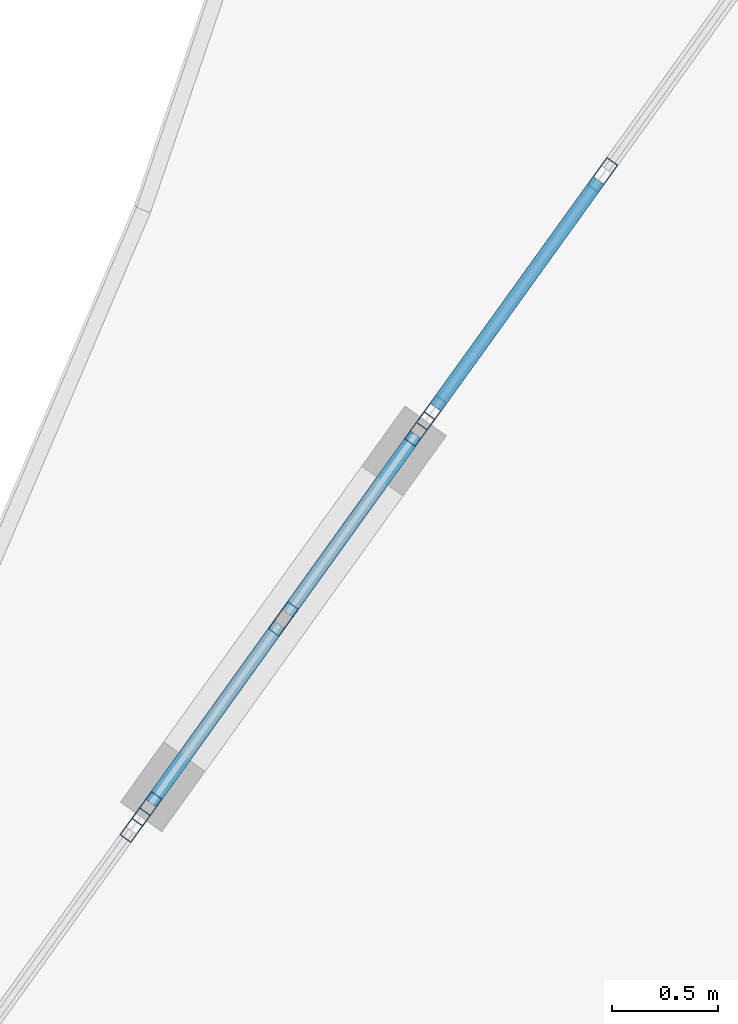
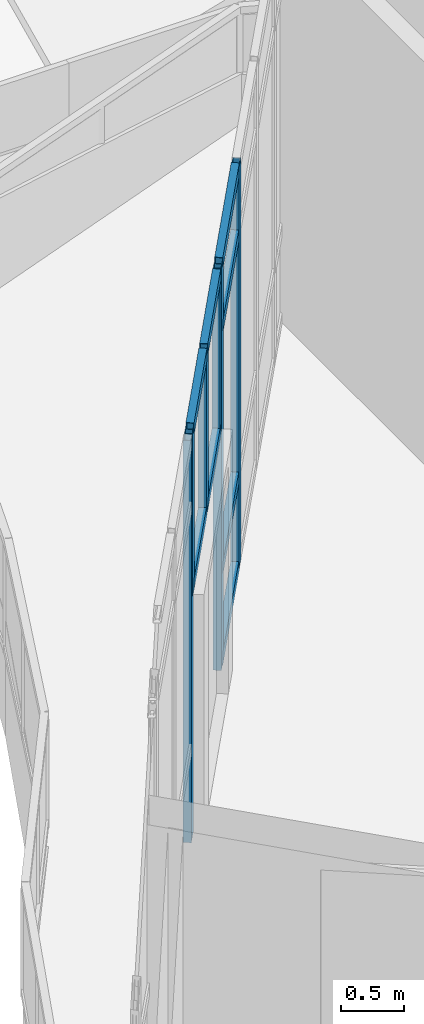
# One storey, part 24 of 184: 14 members, 3 elements without a shape of their own.
"""IFC4 building model written with IfcOpenShell, lengths in metres."""

from ifc_helpers import new_model, si_unit, direction, frame, origin, origin_2d, place, context, subcontext, project, spatial, hollow_rectangle, extrude, material, material_profile, profile_set, type_object, element, aggregate, save


model = new_model("IFC4")

# Units and contexts
model_context = context("Model", 3, precision=1e-05, world=origin(), true_north=direction((0.0, 1.0)))
body_context = subcontext(model_context, "Body", "Model", "MODEL_VIEW")
ifc_project = project(units=[si_unit("LENGTHUNIT", "METRE"), si_unit("AREAUNIT", "SQUARE_METRE"), si_unit("VOLUMEUNIT", "CUBIC_METRE"), si_unit("PLANEANGLEUNIT", "RADIAN"), si_unit("MASSUNIT", "GRAM", prefix="KILO")], contexts=[model_context])

# Site, building, storey
site_placement = place(None, origin())
site = spatial("IfcSite", under=ifc_project, at=site_placement, CompositionType="ELEMENT")
building_placement = place(site_placement, origin())
building = spatial("IfcBuilding", under=site, at=building_placement, Name="Selatvlak General Hospital", CompositionType="ELEMENT")
storey_placement = place(building_placement, frame((0.0, 0.0, 15.0)))
storey = spatial("IfcBuildingStorey", under=building, at=storey_placement, Name="L03", CompositionType="ELEMENT", Elevation=15.0)

# Curtain wall, members
ifc_material_1 = material(Name="Solar-control Low-E double glazing", Category="glass")
curtain_wall_type_1 = type_object("IfcCurtainWallType", Name="CW-CW-02", PredefinedType="USERDEFINED", material=ifc_material_1)
curtain_wall_1_placement = place(storey_placement, origin())
curtain_wall_1 = element("IfcCurtainWall", 1, at=curtain_wall_1_placement, inside=storey, type_object=curtain_wall_type_1, Name="Glazed facade curtain wall CW-L03-0439", ObjectType="UNITISED CURTAIN WALL", PredefinedType="USERDEFINED")
ifc_material_2 = material(Name="Dark anodised aluminium mullion", Category="aluminium")
ifc_material_profile_1 = material_profile(ifc_material_2, hollow_rectangle(XDim=0.06494140625, YDim=0.159912109375, WallThickness=0.00390625, at=origin_2d()), Name="AL-MUL 65x160x4")
ifc_profile_set_1 = profile_set([ifc_material_profile_1], Name="Dark anodised aluminium mullion")
member_type_1 = type_object("IfcMemberType", Name="CWM-01", PredefinedType="MULLION", material=ifc_profile_set_1)
member_1_placement = place(storey_placement, frame((26.974853515625, 42.71044921875, 2.320068359375), z_axis=(0.0, 0.0, 1.0), x_axis=(-0.812302328602, 0.583236596029, 0.0)))
member_1 = element("IfcMember", 2, at=member_1_placement, type_object=member_type_1, Name="CW-02 mullion 1", PredefinedType="MULLION", context=body_context, shape_type="SweptSolid", body=[
    extrude(hollow_rectangle(XDim=0.06494140625, YDim=0.159912109375, WallThickness=0.00390625, at=origin_2d()), origin(), (0.0, 0.0, 1.0), 1.574951171875),
])
member_2_placement = place(storey_placement, frame((27.617919921875, 43.60595703125, 2.320068359375), z_axis=(0.0, 0.0, 1.0), x_axis=(-0.812302328602, 0.583236596029, 0.0)))
member_2 = element("IfcMember", 3, at=member_2_placement, type_object=member_type_1, Name="CW-02 mullion 2", PredefinedType="MULLION", context=body_context, shape_type="SweptSolid", body=[
    extrude(hollow_rectangle(XDim=0.06494140625, YDim=0.159912109375, WallThickness=0.00390625, at=origin_2d()), origin(), (0.0, 0.0, 1.0), 1.574951171875),
])
member_3_placement = place(storey_placement, frame((28.260986328125, 44.501708984375, 2.320068359375), z_axis=(0.0, 0.0, 1.0), x_axis=(-0.812302328602, 0.583236596029, 0.0)))
member_3 = element("IfcMember", 4, at=member_3_placement, type_object=member_type_1, Name="CW-02 mullion 3", PredefinedType="MULLION", context=body_context, shape_type="SweptSolid", body=[
    extrude(hollow_rectangle(XDim=0.06494140625, YDim=0.159912109375, WallThickness=0.00390625, at=origin_2d()), origin(), (0.0, 0.0, 1.0), 1.574951171875),
])

# Curtain wall, member
curtain_wall_type_2 = type_object("IfcCurtainWallType", Name="CW-CW-01", PredefinedType="USERDEFINED", material=ifc_material_1)
curtain_wall_2_placement = place(storey_placement, origin())
curtain_wall_2 = element("IfcCurtainWall", 5, at=curtain_wall_2_placement, inside=storey, type_object=curtain_wall_type_2, Name="Glazed facade curtain wall CW-L03-0440", ObjectType="UNITISED CURTAIN WALL", PredefinedType="USERDEFINED")
member_4_placement = place(storey_placement, frame((26.9189453125, 42.633544921875, 0.0), z_axis=(0.0, 0.0, 1.0), x_axis=(-0.81180439095, 0.583929474196, 0.0)))
member_4 = element("IfcMember", 6, at=member_4_placement, type_object=member_type_1, Name="CW-01 mullion 6", PredefinedType="MULLION", context=body_context, shape_type="SweptSolid", body=[
    extrude(hollow_rectangle(XDim=0.06494140625, YDim=0.159912109375, WallThickness=0.00390625, at=origin_2d()), origin(), (0.0, 0.0, 1.0), 3.89501953125),
])
aggregate(curtain_wall_2, [member_4])

# Curtain wall, members
curtain_wall_3_placement = place(storey_placement, origin())
curtain_wall_3 = element("IfcCurtainWall", 7, at=curtain_wall_3_placement, inside=storey, type_object=curtain_wall_type_2, Name="Glazed facade curtain wall CW-L03-0441", ObjectType="UNITISED CURTAIN WALL", PredefinedType="USERDEFINED")
member_5_placement = place(storey_placement, frame((28.31689453125, 44.578369140625, 0.0), z_axis=(0.0, 0.0, 1.0), x_axis=(-0.811837318502, 0.583883694145, 0.0)))
member_5 = element("IfcMember", 8, at=member_5_placement, type_object=member_type_1, Name="CW-01 mullion 1", PredefinedType="MULLION", context=body_context, shape_type="SweptSolid", body=[
    extrude(hollow_rectangle(XDim=0.06494140625, YDim=0.159912109375, WallThickness=0.00390625, at=origin_2d()), origin(), (0.0, 0.0, 1.0), 3.89501953125),
])
member_6_placement = place(storey_placement, frame((29.123779296875, 45.7001953125, 0.0), z_axis=(0.0, 0.0, 1.0), x_axis=(-0.811837318502, 0.583883694145, 0.0)))
member_6 = element("IfcMember", 9, at=member_6_placement, type_object=member_type_1, Name="CW-01 mullion 2", PredefinedType="MULLION", context=body_context, shape_type="SweptSolid", body=[
    extrude(hollow_rectangle(XDim=0.06494140625, YDim=0.159912109375, WallThickness=0.00390625, at=origin_2d()), origin(), (0.0, 0.0, 1.0), 3.89501953125),
])

# Member
ifc_material_profile_2 = material_profile(ifc_material_2, hollow_rectangle(XDim=0.06494140625, YDim=0.1201171875, WallThickness=0.00390625, at=origin_2d()), Name="AL-TRN 65x120x4")
ifc_profile_set_2 = profile_set([ifc_material_profile_2], Name="Dark anodised aluminium mullion")
member_type_2 = type_object("IfcMemberType", Name="CWT-01", PredefinedType="USERDEFINED", material=ifc_profile_set_2)
member_7_placement = place(storey_placement, frame((26.993896484375, 42.73681640625, 2.3525390625), z_axis=(0.583306308674, 0.812252270086, 0.0), x_axis=(-0.812252270086, 0.583306308674, 0.0)))
member_7 = element("IfcMember", 10, at=member_7_placement, type_object=member_type_2, Name="CW-02 transom 1.1", ObjectType="TRANSOM", PredefinedType="USERDEFINED", context=body_context, shape_type="SweptSolid", body=[
    extrude(hollow_rectangle(XDim=0.06494140625, YDim=0.1201171875, WallThickness=0.00390625, at=origin_2d()), origin(), (0.0, 0.0, 1.0), 1.03759765625),
])

member_8_placement = place(storey_placement, frame((26.993896484375, 42.73681640625, 3.862548828125), z_axis=(0.583306308674, 0.812252270086, 0.0), x_axis=(-0.812252270086, 0.583306308674, 0.0)))
member_8 = element("IfcMember", 11, at=member_8_placement, type_object=member_type_2, Name="CW-02 transom 1.2", ObjectType="TRANSOM", PredefinedType="USERDEFINED", context=body_context, shape_type="SweptSolid", body=[
    extrude(hollow_rectangle(XDim=0.06494140625, YDim=0.1201171875, WallThickness=0.00390625, at=origin_2d()), origin(), (0.0, 0.0, 1.0), 1.03759765625),
])

member_9_placement = place(storey_placement, frame((27.636962890625, 43.63232421875, 2.3525390625), z_axis=(0.583306308674, 0.812252270086, 0.0), x_axis=(-0.812252270086, 0.583306308674, 0.0)))
member_9 = element("IfcMember", 12, at=member_9_placement, type_object=member_type_2, Name="CW-02 transom 2.1", ObjectType="TRANSOM", PredefinedType="USERDEFINED", context=body_context, shape_type="SweptSolid", body=[
    extrude(hollow_rectangle(XDim=0.06494140625, YDim=0.1201171875, WallThickness=0.00390625, at=origin_2d()), origin(), (0.0, 0.0, 1.0), 1.03759765625),
])

member_10_placement = place(storey_placement, frame((27.636962890625, 43.63232421875, 3.862548828125), z_axis=(0.583306308674, 0.812252270086, 0.0), x_axis=(-0.812252270086, 0.583306308674, 0.0)))
member_10 = element("IfcMember", 13, at=member_10_placement, type_object=member_type_2, Name="CW-02 transom 2.2", ObjectType="TRANSOM", PredefinedType="USERDEFINED", context=body_context, shape_type="SweptSolid", body=[
    extrude(hollow_rectangle(XDim=0.06494140625, YDim=0.1201171875, WallThickness=0.00390625, at=origin_2d()), origin(), (0.0, 0.0, 1.0), 1.03759765625),
])

aggregate(curtain_wall_1, [member_1, member_2, member_3, member_7, member_8, member_9, member_10])

member_11_placement = place(storey_placement, frame((28.3359375, 44.604736328125, 0.032470703125), z_axis=(0.583830864609, 0.811875311566, 0.0), x_axis=(-0.811875311566, 0.583830864609, 0.0)))
member_11 = element("IfcMember", 14, at=member_11_placement, type_object=member_type_2, Name="CW-01 transom 1.1", ObjectType="TRANSOM", PredefinedType="USERDEFINED", context=body_context, shape_type="SweptSolid", body=[
    extrude(hollow_rectangle(XDim=0.06494140625, YDim=0.1201171875, WallThickness=0.00390625, at=origin_2d()), origin(), (0.0, 0.0, 1.0), 1.31689453125),
])

member_12_placement = place(storey_placement, frame((28.3359375, 44.604736328125, 0.89990234375), z_axis=(0.583830864609, 0.811875311566, 0.0), x_axis=(-0.811875311566, 0.583830864609, 0.0)))
member_12 = element("IfcMember", 15, at=member_12_placement, type_object=member_type_2, Name="CW-01 transom 1.2", ObjectType="TRANSOM", PredefinedType="USERDEFINED", context=body_context, shape_type="SweptSolid", body=[
    extrude(hollow_rectangle(XDim=0.06494140625, YDim=0.1201171875, WallThickness=0.00390625, at=origin_2d()), origin(), (0.0, 0.0, 1.0), 1.31689453125),
])

member_13_placement = place(storey_placement, frame((28.3359375, 44.604736328125, 3.2451171875), z_axis=(0.583830864609, 0.811875311566, 0.0), x_axis=(-0.811875311566, 0.583830864609, 0.0)))
member_13 = element("IfcMember", 16, at=member_13_placement, type_object=member_type_2, Name="CW-01 transom 1.3", ObjectType="TRANSOM", PredefinedType="USERDEFINED", context=body_context, shape_type="SweptSolid", body=[
    extrude(hollow_rectangle(XDim=0.06494140625, YDim=0.1201171875, WallThickness=0.00390625, at=origin_2d()), origin(), (0.0, 0.0, 1.0), 1.31689453125),
])

member_14_placement = place(storey_placement, frame((28.3359375, 44.604736328125, 3.862548828125), z_axis=(0.583830864609, 0.811875311566, 0.0), x_axis=(-0.811875311566, 0.583830864609, 0.0)))
member_14 = element("IfcMember", 17, at=member_14_placement, type_object=member_type_2, Name="CW-01 transom 1.4", ObjectType="TRANSOM", PredefinedType="USERDEFINED", context=body_context, shape_type="SweptSolid", body=[
    extrude(hollow_rectangle(XDim=0.06494140625, YDim=0.1201171875, WallThickness=0.00390625, at=origin_2d()), origin(), (0.0, 0.0, 1.0), 1.31689453125),
])

aggregate(curtain_wall_3, [member_5, member_6, member_11, member_12, member_13, member_14])

save(model, "model.ifc")
